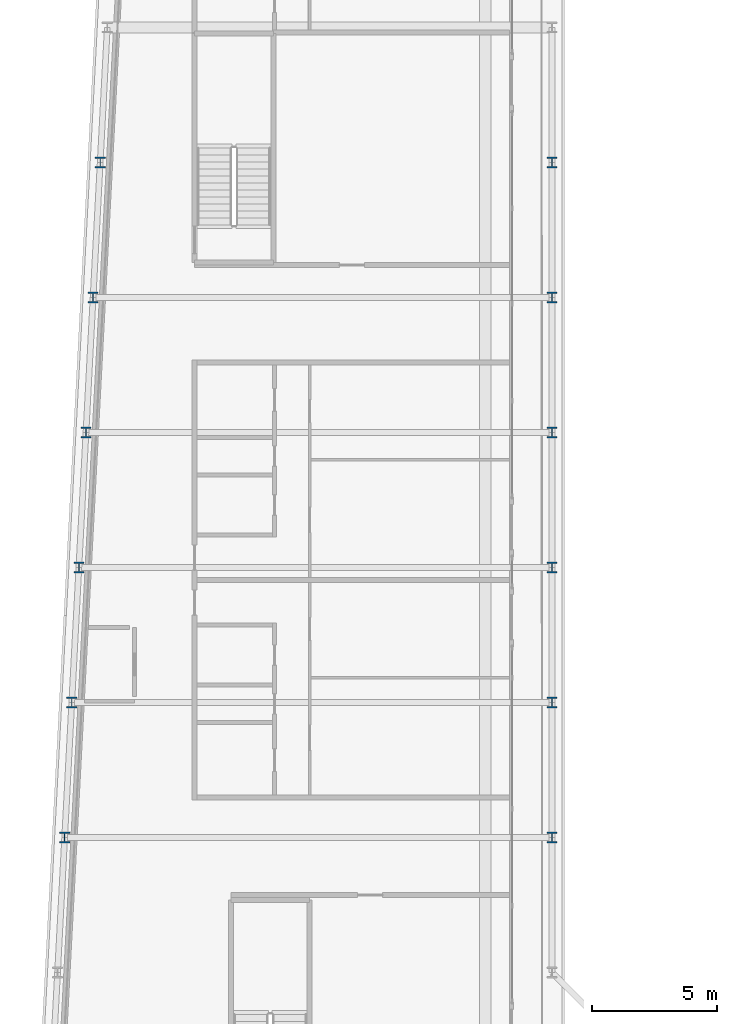
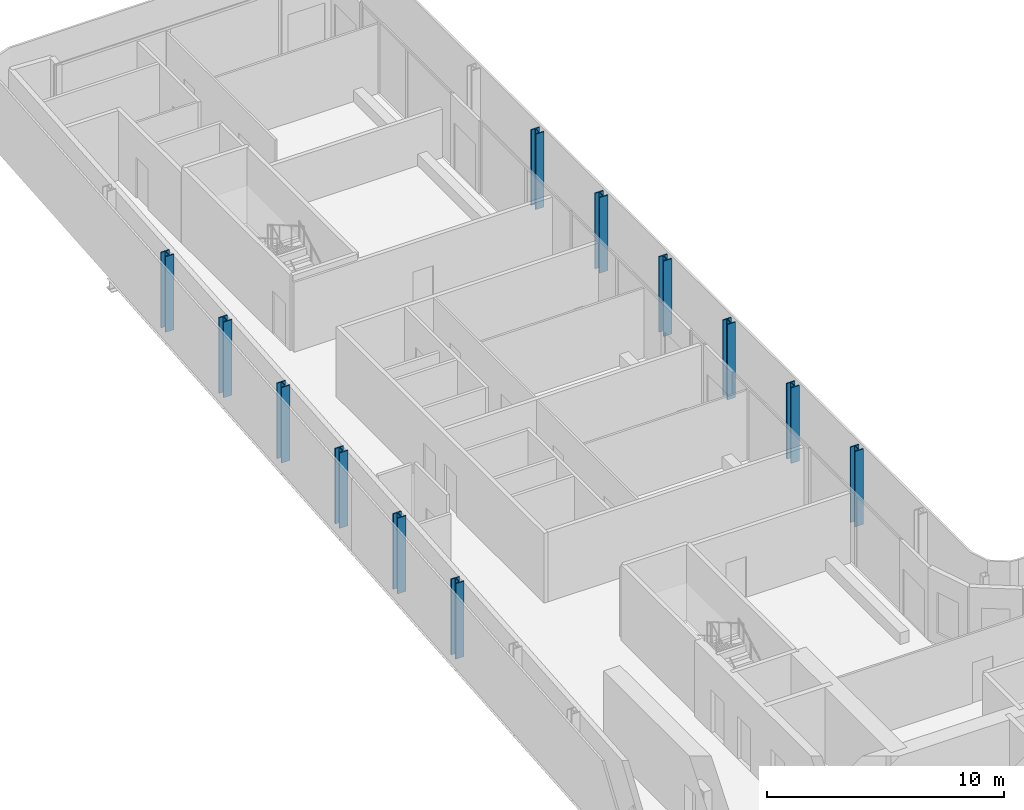
# One storey, part 3 of 29: 12 columns.
"""IFC4 building model written with IfcOpenShell, lengths in metres."""

from ifc_helpers import new_model, si_unit, direction, frame, origin, origin_2d, place, context, subcontext, project, spatial, i_section, extrude, material, material_profile, profile_set, type_object, element, save


model = new_model("IFC4")

# Units and contexts
model_context = context("Model", 3, precision=1e-05, world=origin(), true_north=direction((0.0, 1.0)))
body_context = subcontext(model_context, "Body", "Model", "MODEL_VIEW")
ifc_project = project(units=[si_unit("LENGTHUNIT", "METRE"), si_unit("AREAUNIT", "SQUARE_METRE"), si_unit("VOLUMEUNIT", "CUBIC_METRE"), si_unit("PLANEANGLEUNIT", "RADIAN"), si_unit("MASSUNIT", "GRAM", prefix="KILO")], contexts=[model_context])

# Site, building, storey
site_placement = place(None, origin())
site = spatial("IfcSite", under=ifc_project, at=site_placement, CompositionType="ELEMENT")
building_placement = place(site_placement, origin())
building = spatial("IfcBuilding", under=site, at=building_placement, Name="Kheshtan School and Residences Tower", CompositionType="ELEMENT")
storey_placement = place(building_placement, frame((0.0, 0.0, 179.89990234375)))
storey = spatial("IfcBuildingStorey", under=building, at=storey_placement, Name="L42", CompositionType="ELEMENT", Elevation=179.89990234375)

# Columns
ifc_material = material(Name="Steel ASTM A992 Grade 50", Category="steel")
ifc_material_profile = material_profile(ifc_material, i_section(OverallWidth=0.408935546875, OverallDepth=0.425048828125, WebThickness=0.03271484375, FlangeThickness=0.052490234375, FilletRadius=0.0126953125, at=origin_2d()), Name="W360x421")
ifc_profile_set = profile_set([ifc_material_profile], Name="Steel ASTM A992 Grade 50")
column_type = type_object("IfcColumnType", Name="Column C3 W360x421 ASTM A992 Grade 50", PredefinedType="COLUMN", material=ifc_profile_set)
for number, where, z_axis, x_axis, name in (
    (1, (28.10595703125, 56.39990234375, 0.0), (0.0, 0.0, 1.0), (1.0, 0.0, 0.0), "Column C080"),
    (2, (47.60009765625, 56.39990234375, 0.0), (0.0, 0.0, 1.0), (1.0, 0.0, 0.0), "Column C081"),
    (3, (28.389892578125, 61.800048828125, 0.0), (0.0, 0.0, 1.0), (1.0, 0.0, 0.0), "Column C082"),
    (4, (47.60009765625, 61.800048828125, 0.0), (0.0, 0.0, 1.0), (1.0, 0.0, 0.0), "Column C083"),
    (5, (28.674072265625, 67.199951171875, 0.0), (0.0, 0.0, 1.0), (1.0, 0.0, 0.0), "Column C084"),
    (6, (47.60009765625, 67.199951171875, 0.0), (0.0, 0.0, 1.0), (1.0, 0.0, 0.0), "Column C085"),
    (7, (28.9580078125, 72.60009765625, 0.0), (0.0, 0.0, 1.0), (1.0, 0.0, 0.0), "Column C086"),
    (8, (47.60009765625, 72.60009765625, 0.0), (0.0, 0.0, 1.0), (1.0, 0.0, 0.0), "Column C087"),
    (9, (29.242919921875, 78.0, 0.0), (0.0, 0.0, 1.0), (1.0, 0.0, 0.0), "Column C088"),
    (10, (47.60009765625, 78.0, 0.0), (0.0, 0.0, 1.0), (1.0, 0.0, 0.0), "Column C089"),
    (11, (29.527099609375, 83.39990234375, 0.0), (0.0, 0.0, 1.0), (1.0, 0.0, 0.0), "Column C090"),
    (12, (47.60009765625, 83.39990234375, 0.0), (0.0, 0.0, 1.0), (1.0, 0.0, 0.0), "Column C091"),
):
    element("IfcColumn", number, at=place(storey_placement, frame(where, z_axis=z_axis, x_axis=x_axis)), inside=storey, type_object=column_type, Name=name, PredefinedType="COLUMN", context=body_context, shape_type="SweptSolid", body=[
        extrude(i_section(OverallWidth=0.408935546875, OverallDepth=0.425048828125, WebThickness=0.03271484375, FlangeThickness=0.052490234375, FilletRadius=0.0126953125, at=origin_2d()), origin(), (0.0, 0.0, 1.0), 3.900146484375),
    ])

save(model, "model.ifc")
